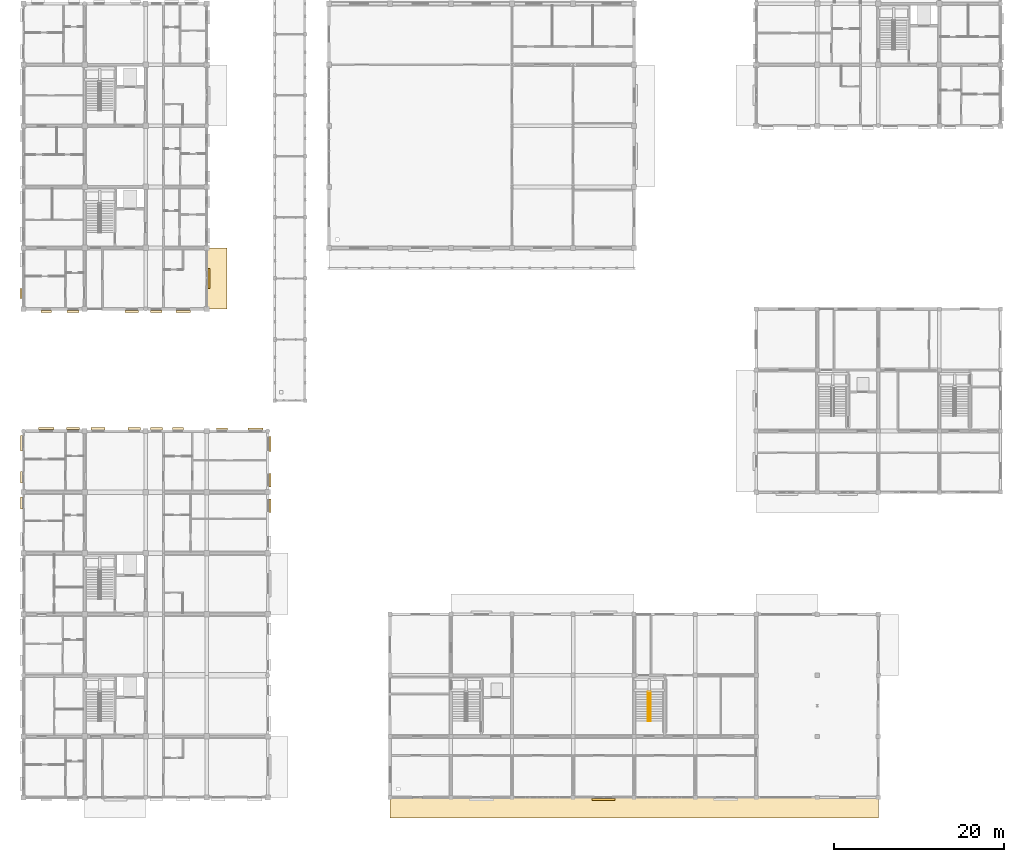
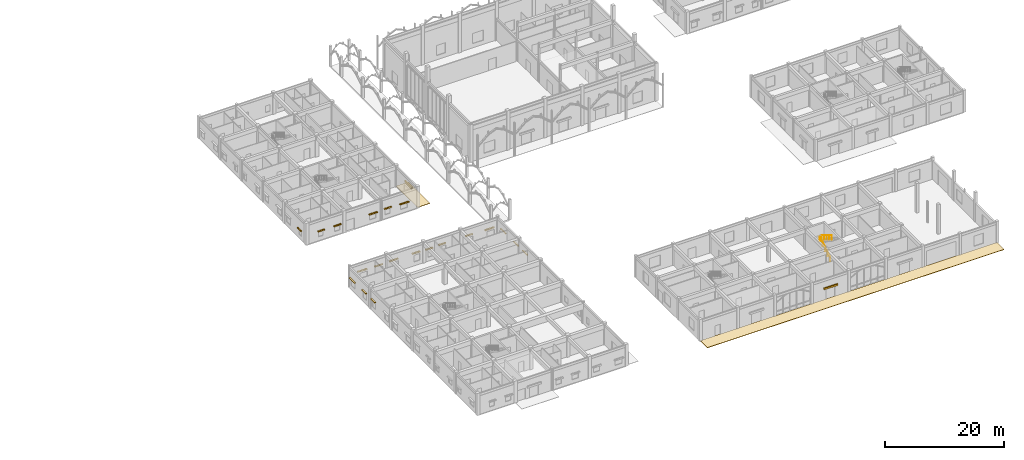
# One storey, part 126 of 138: 24 coverings, 2 railings.
"""IFC4 building model written with IfcOpenShell, lengths in metres."""

import ifcopenshell
import ifcopenshell.guid

model = None  # the IFC model being written
_history = None  # IfcOwnerHistory: only IFC2X3 demands one
_inside = {}  # id of a spatial element -> (the spatial element, [elements in it])
_under = {}  # id of a project, library or spatial element -> (it, [spatial elements below it])
_declared = {}  # id of a project -> (the project, [libraries it declares])
_typed = {}  # id of a type object -> (the type object, [elements of that type])
_made_of = {}  # id of a material, layer set ... -> (it, [elements and type objects made of it])


def new_model(schema):
    """Start an empty IFC model of exactly this schema.

    Asked for "IFC4X3", IfcOpenShell would pick the latest addendum, in which some entities
    have other attributes; the version numbers below select the first issue.
    IFC2X3 requires an IfcOwnerHistory on every rooted entity: one is made here for all.
    """
    global model, _history
    if schema == "IFC4X3":
        model = ifcopenshell.file(schema_version=(4, 3, 0, 0))
    else:
        model = ifcopenshell.file(schema=schema)
    _inside.clear()
    _under.clear()
    _declared.clear()
    _typed.clear()
    _made_of.clear()
    _history = None
    if model.schema == "IFC2X3":
        org = make("IfcOrganization", Name="unknown")
        user = make(
            "IfcPersonAndOrganization",
            ThePerson=make("IfcPerson", FamilyName="unknown"),
            TheOrganization=org,
        )
        app = make(
            "IfcApplication",
            ApplicationDeveloper=org,
            Version="unknown",
            ApplicationFullName="unknown",
            ApplicationIdentifier="unknown",
        )
        _history = make(
            "IfcOwnerHistory",
            OwningUser=user,
            OwningApplication=app,
            ChangeAction="ADDED",
            CreationDate=0,
        )
    return model


def make(cls, **values):
    """One entity of the class cls with the attributes given. An attribute that is None is left unset."""
    return model.create_entity(
        cls, **{name: value for name, value in values.items() if value is not None}
    )


def rooted(cls, **values):
    """An entity with a GlobalId (a new one), such as an element, a storey or a relation."""
    return make(cls, GlobalId=ifcopenshell.guid.new(), OwnerHistory=_history, **values)


def si_unit(unit_type, name, prefix=None):
    """IfcSIUnit, for example si_unit("LENGTHUNIT", "METRE", prefix="MILLI")."""
    return make("IfcSIUnit", UnitType=unit_type, Prefix=prefix, Name=name)


def assignment(units):
    """IfcUnitAssignment: the units of a project."""
    return None if units is None else make("IfcUnitAssignment", Units=units)


def point(xyz):
    """IfcCartesianPoint."""
    return None if xyz is None else make("IfcCartesianPoint", Coordinates=xyz)


def direction(xyz):
    """IfcDirection."""
    return None if xyz is None else make("IfcDirection", DirectionRatios=xyz)


def frame(location, z_axis=None, x_axis=None):
    """IfcAxis2Placement3D, a coordinate frame: its origin and axes. An axis left out is left unset."""
    return make(
        "IfcAxis2Placement3D",
        Location=point(location),
        Axis=direction(z_axis),
        RefDirection=direction(x_axis),
    )


def frame_2d(location, x_axis=None):
    """IfcAxis2Placement2D, a coordinate frame in the plane: its origin and x axis."""
    return make(
        "IfcAxis2Placement2D", Location=point(location), RefDirection=direction(x_axis)
    )


def origin():
    """The frame at (0, 0, 0) with its axes left unset."""
    return frame((0.0, 0.0, 0.0))


def origin_2d():
    """The frame at (0, 0) in the plane with its x axis left unset."""
    return frame_2d((0.0, 0.0))


def place(relative_to, where):
    """IfcLocalPlacement: puts the frame where relative to a parent placement (None: the world)."""
    return make(
        "IfcLocalPlacement", PlacementRelTo=relative_to, RelativePlacement=where
    )


def context(
    kind, dimensions, precision=None, world=None, true_north=None, identifier=None
):
    """IfcGeometricRepresentationContext, for example the 3D "Model" context."""
    return make(
        "IfcGeometricRepresentationContext",
        ContextIdentifier=identifier,
        ContextType=kind,
        CoordinateSpaceDimension=dimensions,
        Precision=precision,
        WorldCoordinateSystem=world,
        TrueNorth=true_north,
    )


def subcontext(parent, identifier, kind, view, scale=None):
    """IfcGeometricRepresentationSubContext, for example "Body" below "Model"."""
    return make(
        "IfcGeometricRepresentationSubContext",
        ContextIdentifier=identifier,
        ContextType=kind,
        ParentContext=parent,
        TargetScale=scale,
        TargetView=view,
    )


def project(units=None, contexts=None):
    """IfcProject with its units and contexts."""
    return rooted(
        "IfcProject",
        Name="project",
        RepresentationContexts=contexts,
        UnitsInContext=assignment(units),
    )


def spatial(cls, under=None, at=None, **own):
    """A site, building, storey or space (cls), placed at a placement, below another one or the project."""
    s = rooted(cls, ObjectPlacement=at, **own)
    if under is not None:
        _under.setdefault(under.id(), (under, []))[1].append(s)
    return s


def polyline(points):
    """IfcPolyline through the points."""
    return make("IfcPolyline", Points=[point(p) for p in points])


def profile(cls, at=None, kind="AREA", **sizes):
    """A parametric profile (cls). Its sizes go by their IFC names, for example OverallWidth=200.0."""
    return make(cls, ProfileType=kind, Position=at, **sizes)


def rectangle(**sizes):
    """IfcRectangleProfileDef."""
    return profile("IfcRectangleProfileDef", **sizes)


def circle(**sizes):
    """IfcCircleProfileDef."""
    return profile("IfcCircleProfileDef", **sizes)


def outline(outer, holes=None, kind="AREA"):
    """IfcArbitraryClosedProfileDef: a profile drawn as a closed curve; with holes, ...WithVoids."""
    if holes is None:
        return make("IfcArbitraryClosedProfileDef", ProfileType=kind, OuterCurve=outer)
    return make(
        "IfcArbitraryProfileDefWithVoids",
        ProfileType=kind,
        OuterCurve=outer,
        InnerCurves=holes,
    )


def extrude(swept, where, along, depth):
    """IfcExtrudedAreaSolid: the profile swept, set in the frame where, extruded along a direction by depth."""
    return make(
        "IfcExtrudedAreaSolid",
        SweptArea=swept,
        Position=where,
        ExtrudedDirection=direction(along),
        Depth=depth,
    )


def shape(context_of_items, identifier, shape_type, items):
    """IfcShapeRepresentation: the items that make up one representation, for example the "Body"."""
    return make(
        "IfcShapeRepresentation",
        ContextOfItems=context_of_items,
        RepresentationIdentifier=identifier,
        RepresentationType=shape_type,
        Items=items,
    )


def material(Name=None, Category=None):
    """IfcMaterial."""
    return make("IfcMaterial", Name=Name, Category=Category)


def layer(
    of_material, thickness, ventilated=None, Name=None, Category=None, Priority=None
):
    """IfcMaterialLayer: one layer of a wall or slab, of a material (None: an air gap)."""
    return make(
        "IfcMaterialLayer",
        Material=of_material,
        LayerThickness=thickness,
        IsVentilated=ventilated,
        Name=Name,
        Category=Category,
        Priority=Priority,
    )


def layer_set(layers, Name=None):
    """IfcMaterialLayerSet."""
    return make("IfcMaterialLayerSet", MaterialLayers=layers, LayerSetName=Name)


def made_of(thing, what):
    """Note that an element or type object is made of a material, layer set ...; save() writes the relation."""
    if what is not None:
        _made_of.setdefault(what.id(), (what, []))[1].append(thing)
    return thing


def type_object(cls, material=None, **own):
    """A type object (cls), such as IfcWallType, which elements share."""
    return made_of(rooted(cls, **own), material)


def element(
    cls,
    number,
    at=None,
    inside=None,
    cuts=None,
    type_object=None,
    material=None,
    context=None,
    identifier="Body",
    shape_type=None,
    held_by="IfcProductDefinitionShape",
    body=None,
    shapes=None,
    **own,
):
    """One element of the class cls, such as IfcWall. Its Tag is "e" and its number.

    at: its placement. inside: the storey or other place that contains it. cuts: it is an
    opening in that element (IfcRelVoidsElement). A single representation is given by context,
    identifier, shape_type and body (its items); several are given by shapes. held_by: the class
    of the entity that holds the representations. save() writes the other relations.
    """
    e = rooted(cls, Tag="e%d" % number, ObjectPlacement=at, **own)
    if body is not None:
        shapes = [shape(context, identifier, shape_type, body)]
    if shapes is not None:
        e.Representation = make(held_by, Representations=shapes)
    if inside is not None:
        _inside.setdefault(inside.id(), (inside, []))[1].append(e)
    if cuts is not None:
        rooted(
            "IfcRelVoidsElement", RelatingBuildingElement=cuts, RelatedOpeningElement=e
        )
    if type_object is not None:
        _typed.setdefault(type_object.id(), (type_object, []))[1].append(e)
    return made_of(e, material)


def aggregate(whole, parts):
    """IfcRelAggregates: a whole, such as a stair, and the parts it consists of."""
    return rooted("IfcRelAggregates", RelatingObject=whole, RelatedObjects=parts)


def save(model, path):
    """Write the relations noted so far, then the file.

    IfcRelAggregates (storeys below a building ...), IfcRelContainedInSpatialStructure (elements
    in a storey), IfcRelDefinesByType, IfcRelAssociatesMaterial and IfcRelDeclares: one each for
    every whole, place, type object, material and project.
    """
    for whole, parts in _under.values():
        aggregate(whole, parts)
    for where, things in _inside.values():
        rooted(
            "IfcRelContainedInSpatialStructure",
            RelatedElements=things,
            RelatingStructure=where,
        )
    for kind, things in _typed.values():
        rooted("IfcRelDefinesByType", RelatedObjects=things, RelatingType=kind)
    for what, things in _made_of.values():
        rooted("IfcRelAssociatesMaterial", RelatedObjects=things, RelatingMaterial=what)
    for by, libraries in _declared.values():
        rooted("IfcRelDeclares", RelatingContext=by, RelatedDefinitions=libraries)
    model.write(path)


model = new_model("IFC4")

# Units and contexts
model_context = context("Model", 3, precision=1e-05, world=origin(), true_north=direction((0.0, 1.0)))
body_context = subcontext(model_context, "Body", "Model", "MODEL_VIEW")
ifc_project = project(units=[si_unit("LENGTHUNIT", "METRE"), si_unit("AREAUNIT", "SQUARE_METRE"), si_unit("VOLUMEUNIT", "CUBIC_METRE"), si_unit("PLANEANGLEUNIT", "RADIAN"), si_unit("MASSUNIT", "GRAM", prefix="KILO"), si_unit("THERMODYNAMICTEMPERATUREUNIT", "KELVIN"), si_unit("POWERUNIT", "WATT")], contexts=[model_context])

# Site, building, storey
site_placement = place(None, origin())
site = spatial("IfcSite", under=ifc_project, at=site_placement, CompositionType="ELEMENT")
building_placement = place(site_placement, origin())
building = spatial("IfcBuilding", under=site, at=building_placement, Name="Tavuni Mirador Residences", CompositionType="ELEMENT")
storey_placement = place(building_placement, origin())
storey = spatial("IfcBuildingStorey", under=building, at=storey_placement, Name="L00", CompositionType="ELEMENT", Elevation=0.0)

# Coverings
ifc_material_1 = material(Name="Natural coral limestone", Category="masonry")
ifc_layer_1 = layer(ifc_material_1, 0.054931640625, Name="Natural coral limestone", Category="masonry")
ifc_layer_set_1 = layer_set([ifc_layer_1], Name="Natural coral limestone")
covering_type_1 = type_object("IfcCoveringType", Name="CVT-CLAD-CORAL", PredefinedType="CLADDING", material=ifc_layer_set_1)
for number, where, z_axis, x_axis, name in (
    (1, (32.659423828125, 41.590087890625, 2.06494140625), (0.0, 0.0, 1.0), (0.0, 1.0, 0.0), "HOOD-0012"),
    (2, (32.6494140625, 44.590087890625, 2.06494140625), (0.0, 0.0, 1.0), (0.0, 1.0, 0.0), "HOOD-0013"),
):
    element("IfcCovering", number, at=place(storey_placement, frame(where, z_axis=z_axis, x_axis=x_axis)), inside=storey, type_object=covering_type_1, Name=name, PredefinedType="CLADDING", context=body_context, shape_type="SweptSolid", body=[
        extrude(rectangle(XDim=1.6201171875, YDim=0.25, at=origin_2d()), origin(), (0.0, 0.0, 1.0), 0.14990234375),
    ])
for number, where, z_axis, x_axis, name in (
    (3, (32.6494140625, 48.8701171875, 2.06494140625), (0.0, 0.0, 1.0), (0.0, 1.0, 0.0), "HOOD-0014"),
    (4, (30.969970703125, 50.6669921875, 2.06494140625), (0.0, 0.0, 1.0), (-1.0, 0.0, 0.0), "HOOD-0015"),
):
    element("IfcCovering", number, at=place(storey_placement, frame(where, z_axis=z_axis, x_axis=x_axis)), inside=storey, type_object=covering_type_1, Name=name, PredefinedType="CLADDING", context=body_context, shape_type="SweptSolid", body=[
        extrude(rectangle(XDim=1.780029296875, YDim=0.25, at=origin_2d()), origin(), (0.0, 0.0, 1.0), 0.14990234375),
    ])
for number, where, z_axis, x_axis, name in (
    (5, (27.0, 50.6669921875, 2.1650390625), (0.0, 0.0, 1.0), (-1.0, 0.0, 0.0), "HOOD-0016"),
    (6, (21.800048828125, 50.674560546875, 2.1650390625), (0.0, 0.0, 1.0), (-1.0, 0.0, 0.0), "HOOD-0017"),
):
    element("IfcCovering", number, at=place(storey_placement, frame(where, z_axis=z_axis, x_axis=x_axis)), inside=storey, type_object=covering_type_1, Name=name, PredefinedType="CLADDING", context=body_context, shape_type="SweptSolid", body=[
        extrude(rectangle(XDim=1.320068359375, YDim=0.25, at=origin_2d()), origin(), (0.0, 0.0, 1.0), 0.14990234375),
    ])
covering_1_placement = place(storey_placement, frame((19.27001953125, 50.674560546875, 2.06494140625), z_axis=(0.0, 0.0, 1.0), x_axis=(-1.0, 0.0, 0.0)))
element("IfcCovering", 7, at=covering_1_placement, inside=storey, type_object=covering_type_1, Name="HOOD-0018", PredefinedType="CLADDING", context=body_context, shape_type="SweptSolid", body=[
    extrude(rectangle(XDim=1.3798828125, YDim=0.25, at=origin_2d()), origin(), (0.0, 0.0, 1.0), 0.14990234375),
])
covering_2_placement = place(storey_placement, frame((16.679931640625, 50.679443359375, 2.1650390625), z_axis=(0.0, 0.0, 1.0), x_axis=(-1.0, 0.0, 0.0)))
element("IfcCovering", 8, at=covering_2_placement, inside=storey, type_object=covering_type_1, Name="HOOD-0019", PredefinedType="CLADDING", context=body_context, shape_type="SweptSolid", body=[
    extrude(rectangle(XDim=1.47998046875, YDim=0.25, at=origin_2d()), origin(), (0.0, 0.0, 1.0), 0.14990234375),
])
covering_3_placement = place(storey_placement, frame((12.39990234375, 50.679443359375, 2.1650390625), z_axis=(0.0, 0.0, 1.0), x_axis=(-1.0, 0.0, 0.0)))
element("IfcCovering", 9, at=covering_3_placement, inside=storey, type_object=covering_type_1, Name="HOOD-0020", PredefinedType="CLADDING", context=body_context, shape_type="SweptSolid", body=[
    extrude(rectangle(XDim=1.639892578125, YDim=0.25, at=origin_2d()), origin(), (0.0, 0.0, 1.0), 0.14990234375),
])
covering_4_placement = place(storey_placement, frame((9.449951171875, 50.68701171875, 2.06494140625), z_axis=(0.0, 0.0, 1.0), x_axis=(-1.0, 0.0, 0.0)))
element("IfcCovering", 10, at=covering_4_placement, inside=storey, type_object=covering_type_1, Name="HOOD-0021", PredefinedType="CLADDING", context=body_context, shape_type="SweptSolid", body=[
    extrude(rectangle(XDim=1.5400390625, YDim=0.25, at=origin_2d()), origin(), (0.0, 0.0, 1.0), 0.14990234375),
])
for number, where, z_axis, x_axis, name in (
    (11, (6.27001953125, 50.68701171875, 2.1650390625), (0.0, 0.0, 1.0), (-1.0, 0.0, 0.0), "HOOD-0022"),
    (12, (3.3505859375, 48.9599609375, 2.1650390625), (0.0, 0.0, 1.0), (0.0, -1.0, 0.0), "HOOD-0023"),
):
    element("IfcCovering", number, at=place(storey_placement, frame(where, z_axis=z_axis, x_axis=x_axis)), inside=storey, type_object=covering_type_1, Name=name, PredefinedType="CLADDING", context=body_context, shape_type="SweptSolid", body=[
        extrude(rectangle(XDim=1.800048828125, YDim=0.25, at=origin_2d()), origin(), (0.0, 0.0, 1.0), 0.14990234375),
    ])
for number, where, z_axis, x_axis, name in (
    (13, (3.3505859375, 44.965087890625, 2.2451171875), (0.0, 0.0, 1.0), (0.0, -1.0, 0.0), "HOOD-0024"),
    (14, (3.340576171875, 41.925048828125, 2.2451171875), (0.0, 0.0, 1.0), (0.0, -1.0, 0.0), "HOOD-0025"),
):
    element("IfcCovering", number, at=place(storey_placement, frame(where, z_axis=z_axis, x_axis=x_axis)), inside=storey, type_object=covering_type_1, Name=name, PredefinedType="CLADDING", context=body_context, shape_type="SweptSolid", body=[
        extrude(rectangle(XDim=1.389892578125, YDim=0.25, at=origin_2d()), origin(), (0.0, 0.0, 1.0), 0.14990234375),
    ])
covering_5_placement = place(storey_placement, frame((6.2900390625, 64.512939453125, 1.955078125), z_axis=(0.0, 0.0, 1.0), x_axis=(1.0, 0.0, 0.0)))
element("IfcCovering", 15, at=covering_5_placement, inside=storey, type_object=covering_type_1, Name="HOOD-0314", PredefinedType="CLADDING", context=body_context, shape_type="SweptSolid", body=[
    extrude(rectangle(XDim=1.260009765625, YDim=0.25, at=origin_2d()), origin(), (0.0, 0.0, 1.0), 0.14990234375),
])
covering_6_placement = place(storey_placement, frame((9.449951171875, 64.512939453125, 1.955078125), z_axis=(0.0, 0.0, 1.0), x_axis=(1.0, 0.0, 0.0)))
element("IfcCovering", 16, at=covering_6_placement, inside=storey, type_object=covering_type_1, Name="HOOD-0315", PredefinedType="CLADDING", context=body_context, shape_type="SweptSolid", body=[
    extrude(rectangle(XDim=1.419921875, YDim=0.25, at=origin_2d()), origin(), (0.0, 0.0, 1.0), 0.14990234375),
])
covering_7_placement = place(storey_placement, frame((16.3701171875, 64.5205078125, 1.955078125), z_axis=(0.0, 0.0, 1.0), x_axis=(1.0, 0.0, 0.0)))
element("IfcCovering", 17, at=covering_7_placement, inside=storey, type_object=covering_type_1, Name="HOOD-0317", PredefinedType="CLADDING", context=body_context, shape_type="SweptSolid", body=[
    extrude(rectangle(XDim=1.580078125, YDim=0.25, at=origin_2d()), origin(), (0.0, 0.0, 1.0), 0.14990234375),
])
covering_8_placement = place(storey_placement, frame((19.25, 64.525390625, 2.06494140625), z_axis=(0.0, 0.0, 1.0), x_axis=(1.0, 0.0, 0.0)))
element("IfcCovering", 18, at=covering_8_placement, inside=storey, type_object=covering_type_1, Name="HOOD-0318", PredefinedType="CLADDING", context=body_context, shape_type="SweptSolid", body=[
    extrude(rectangle(XDim=1.3798828125, YDim=0.25, at=origin_2d()), origin(), (0.0, 0.0, 1.0), 0.14990234375),
])
covering_9_placement = place(storey_placement, frame((22.429931640625, 64.525390625, 1.955078125), z_axis=(0.0, 0.0, 1.0), x_axis=(1.0, 0.0, 0.0)))
element("IfcCovering", 19, at=covering_9_placement, inside=storey, type_object=covering_type_1, Name="HOOD-0319", PredefinedType="CLADDING", context=body_context, shape_type="SweptSolid", body=[
    extrude(rectangle(XDim=1.739990234375, YDim=0.25, at=origin_2d()), origin(), (0.0, 0.0, 1.0), 0.14990234375),
])
covering_10_placement = place(storey_placement, frame((25.48193359375, 68.39990234375, 2.25), z_axis=(0.0, 0.0, 1.0), x_axis=(0.0, 1.0, 0.0)))
element("IfcCovering", 20, at=covering_10_placement, inside=storey, type_object=covering_type_1, Name="CLAD-BLK-B-E00", PredefinedType="CLADDING", context=body_context, shape_type="SweptSolid", body=[
    extrude(rectangle(XDim=2.39990234375, YDim=0.239990234375, at=origin_2d()), origin(), (0.0, 0.0, 1.0), 0.340087890625),
])
covering_11_placement = place(storey_placement, frame((3.31298828125, 66.625, 1.955078125), z_axis=(0.0, 0.0, 1.0), x_axis=(0.0, -1.0, 0.0)))
element("IfcCovering", 21, at=covering_11_placement, inside=storey, type_object=covering_type_1, Name="HOOD-0341", PredefinedType="CLADDING", context=body_context, shape_type="SweptSolid", body=[
    extrude(rectangle(XDim=1.18994140625, YDim=0.25, at=origin_2d()), origin(), (0.0, 0.0, 1.0), 0.14990234375),
])
covering_12_placement = place(storey_placement, frame((72.0048828125, 6.93798828125, 2.25), z_axis=(0.0, 0.0, 1.0), x_axis=(1.0, 0.0, 0.0)))
element("IfcCovering", 22, at=covering_12_placement, inside=storey, type_object=covering_type_1, Name="CLAD-PAV-SHOP-S03", PredefinedType="CLADDING", context=body_context, shape_type="SweptSolid", body=[
    extrude(rectangle(XDim=2.699951171875, YDim=0.239990234375, at=origin_2d()), origin(), (0.0, 0.0, 1.0), 0.340087890625),
])
ifc_material_2 = material(Name="Dressed coral-stone paving", Category="masonry")
ifc_layer_2 = layer(ifc_material_2, 0.080078125, Name="Dressed coral-stone paving", Category="masonry")
ifc_layer_set_2 = layer_set([ifc_layer_2], Name="Dressed coral-stone paving")
covering_type_2 = type_object("IfcCoveringType", Name="CVT-PAV-COURT", PredefinedType="USERDEFINED", material=ifc_layer_set_2)
covering_13_placement = place(storey_placement, frame((0.0, 0.0, -0.080078125)))
element("IfcCovering", 23, at=covering_13_placement, inside=storey, type_object=covering_type_2, Name="PAV-APR-BLKB-E1", ObjectType="PAVING", PredefinedType="USERDEFINED", context=body_context, shape_type="SweptSolid", body=[
    extrude(outline(polyline([(25.199951171875, 64.800048828125), (27.60009765625, 64.800048828125), (27.60009765625, 72.0), (25.199951171875, 72.0), (25.199951171875, 64.800048828125)])), origin(), (0.0, 0.0, 1.0), 0.080078125),
])
covering_14_placement = place(storey_placement, frame((0.0, 0.0, -0.080078125)))
element("IfcCovering", 24, at=covering_14_placement, inside=storey, type_object=covering_type_2, Name="PAV-APR-SHOP-S", ObjectType="PAVING", PredefinedType="USERDEFINED", context=body_context, shape_type="SweptSolid", body=[
    extrude(outline(polyline([(46.800048828125, 4.800048828125), (104.39990234375, 4.800048828125), (104.39990234375, 7.199951171875), (46.800048828125, 7.199951171875), (46.800048828125, 4.800048828125)])), origin(), (0.0, 0.0, 1.0), 0.080078125),
])

# Railings
ifc_material_3 = material(Name="Structural steel S355", Category="steel")
railing_type = type_object("IfcRailingType", Name="RT-HR920", PredefinedType="HANDRAIL", material=ifc_material_3)
railing_1_placement = place(storey_placement, frame((77.25, 16.199951171875, 0.173095703125)))
element("IfcRailing", 25, at=railing_1_placement, inside=storey, type_object=railing_type, Name="HR-ST10-L00-F1", PredefinedType="HANDRAIL", context=body_context, shape_type="SweptSolid", body=[
    extrude(circle(Radius=0.02392578125, at=origin_2d()), frame((0.0, 0.0, 0.89599609375), z_axis=(0.0, 0.854745945586, 0.519046595696), x_axis=(-1.0, 0.0, 0.0)), (0.0, 0.0, 1.0), 4.00146484375),
    extrude(circle(Radius=0.02099609375, at=origin_2d()), origin(), (0.0, 0.0, 1.0), 0.871826171875),
    extrude(circle(Radius=0.02099609375, at=origin_2d()), frame((0.0, 0.85498046875, 0.519287109375)), (0.0, 0.0, 1.0), 0.871826171875),
    extrude(circle(Radius=0.02099609375, at=origin_2d()), frame((0.0, 1.7099609375, 1.03857421875)), (0.0, 0.0, 1.0), 0.871826171875),
    extrude(circle(Radius=0.02099609375, at=origin_2d()), frame((0.0, 2.565185546875, 1.5576171875)), (0.0, 0.0, 1.0), 0.871826171875),
    extrude(circle(Radius=0.02099609375, at=origin_2d()), frame((0.0, 3.420166015625, 2.076904296875)), (0.0, 0.0, 1.0), 0.871826171875),
])
railing_2_placement = place(storey_placement, frame((77.550048828125, 19.6201171875, 2.423095703125)))
element("IfcRailing", 26, at=railing_2_placement, inside=storey, type_object=railing_type, Name="HR-ST10-L00-F2", PredefinedType="HANDRAIL", context=body_context, shape_type="SweptSolid", body=[
    extrude(circle(Radius=0.02392578125, at=origin_2d()), frame((0.0, 0.0, 0.89599609375), z_axis=(0.0, -0.854745945586, 0.519046595696), x_axis=(1.0, 0.0, 0.0)), (0.0, 0.0, 1.0), 4.00146484375),
    extrude(circle(Radius=0.02099609375, at=origin_2d()), origin(), (0.0, 0.0, 1.0), 0.871826171875),
    extrude(circle(Radius=0.02099609375, at=origin_2d()), frame((0.0, -0.85498046875, 0.519287109375)), (0.0, 0.0, 1.0), 0.871826171875),
    extrude(circle(Radius=0.02099609375, at=origin_2d()), frame((0.0, -1.7099609375, 1.03857421875)), (0.0, 0.0, 1.0), 0.871826171875),
    extrude(circle(Radius=0.02099609375, at=origin_2d()), frame((0.0, -2.565185546875, 1.5576171875)), (0.0, 0.0, 1.0), 0.871826171875),
    extrude(circle(Radius=0.02099609375, at=origin_2d()), frame((0.0, -3.420166015625, 2.076904296875)), (0.0, 0.0, 1.0), 0.871826171875),
])

save(model, "model.ifc")
